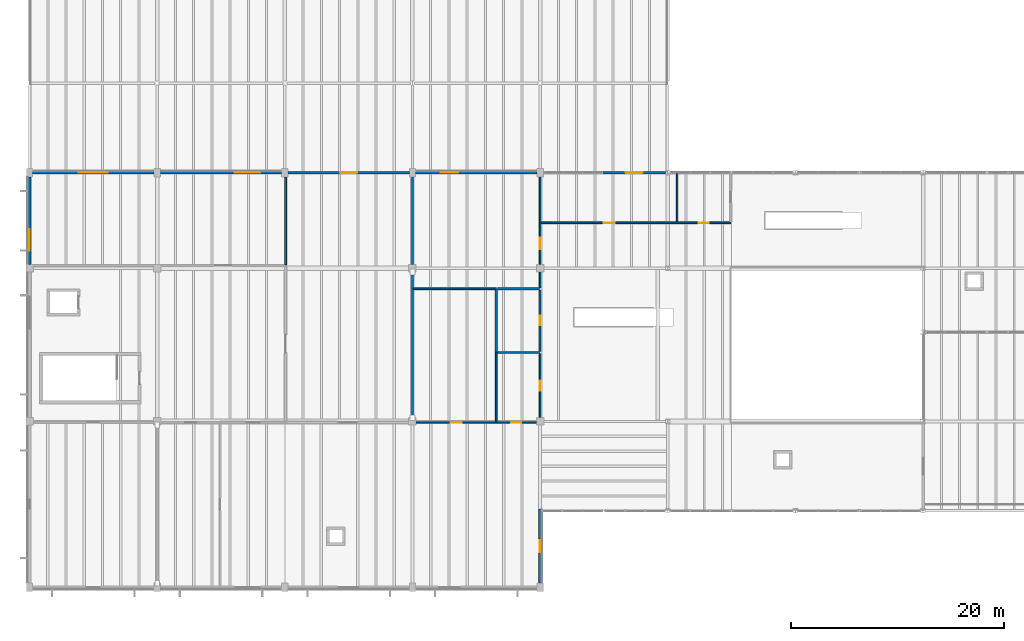
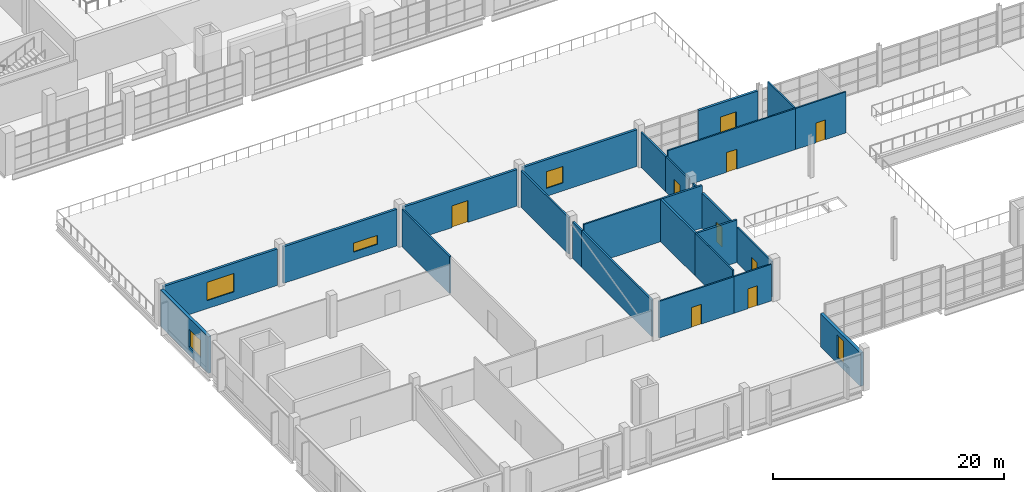
# One storey, part 56 of 78: 26 walls, 9 doors, 5 windows, 14 openings.
"""IFC4 building model written with IfcOpenShell, lengths in metres."""

import ifcopenshell
import ifcopenshell.guid

model = None  # the IFC model being written
_history = None  # IfcOwnerHistory: only IFC2X3 demands one
_inside = {}  # id of a spatial element -> (the spatial element, [elements in it])
_under = {}  # id of a project, library or spatial element -> (it, [spatial elements below it])
_declared = {}  # id of a project -> (the project, [libraries it declares])
_typed = {}  # id of a type object -> (the type object, [elements of that type])
_made_of = {}  # id of a material, layer set ... -> (it, [elements and type objects made of it])


def new_model(schema):
    """Start an empty IFC model of exactly this schema.

    Asked for "IFC4X3", IfcOpenShell would pick the latest addendum, in which some entities
    have other attributes; the version numbers below select the first issue.
    IFC2X3 requires an IfcOwnerHistory on every rooted entity: one is made here for all.
    """
    global model, _history
    if schema == "IFC4X3":
        model = ifcopenshell.file(schema_version=(4, 3, 0, 0))
    else:
        model = ifcopenshell.file(schema=schema)
    _inside.clear()
    _under.clear()
    _declared.clear()
    _typed.clear()
    _made_of.clear()
    _history = None
    if model.schema == "IFC2X3":
        org = make("IfcOrganization", Name="unknown")
        user = make(
            "IfcPersonAndOrganization",
            ThePerson=make("IfcPerson", FamilyName="unknown"),
            TheOrganization=org,
        )
        app = make(
            "IfcApplication",
            ApplicationDeveloper=org,
            Version="unknown",
            ApplicationFullName="unknown",
            ApplicationIdentifier="unknown",
        )
        _history = make(
            "IfcOwnerHistory",
            OwningUser=user,
            OwningApplication=app,
            ChangeAction="ADDED",
            CreationDate=0,
        )
    return model


def make(cls, **values):
    """One entity of the class cls with the attributes given. An attribute that is None is left unset."""
    return model.create_entity(
        cls, **{name: value for name, value in values.items() if value is not None}
    )


def rooted(cls, **values):
    """An entity with a GlobalId (a new one), such as an element, a storey or a relation."""
    return make(cls, GlobalId=ifcopenshell.guid.new(), OwnerHistory=_history, **values)


def si_unit(unit_type, name, prefix=None):
    """IfcSIUnit, for example si_unit("LENGTHUNIT", "METRE", prefix="MILLI")."""
    return make("IfcSIUnit", UnitType=unit_type, Prefix=prefix, Name=name)


def assignment(units):
    """IfcUnitAssignment: the units of a project."""
    return None if units is None else make("IfcUnitAssignment", Units=units)


def point(xyz):
    """IfcCartesianPoint."""
    return None if xyz is None else make("IfcCartesianPoint", Coordinates=xyz)


def direction(xyz):
    """IfcDirection."""
    return None if xyz is None else make("IfcDirection", DirectionRatios=xyz)


def frame(location, z_axis=None, x_axis=None):
    """IfcAxis2Placement3D, a coordinate frame: its origin and axes. An axis left out is left unset."""
    return make(
        "IfcAxis2Placement3D",
        Location=point(location),
        Axis=direction(z_axis),
        RefDirection=direction(x_axis),
    )


def frame_2d(location, x_axis=None):
    """IfcAxis2Placement2D, a coordinate frame in the plane: its origin and x axis."""
    return make(
        "IfcAxis2Placement2D", Location=point(location), RefDirection=direction(x_axis)
    )


def origin():
    """The frame at (0, 0, 0) with its axes left unset."""
    return frame((0.0, 0.0, 0.0))


def place(relative_to, where):
    """IfcLocalPlacement: puts the frame where relative to a parent placement (None: the world)."""
    return make(
        "IfcLocalPlacement", PlacementRelTo=relative_to, RelativePlacement=where
    )


def context(
    kind, dimensions, precision=None, world=None, true_north=None, identifier=None
):
    """IfcGeometricRepresentationContext, for example the 3D "Model" context."""
    return make(
        "IfcGeometricRepresentationContext",
        ContextIdentifier=identifier,
        ContextType=kind,
        CoordinateSpaceDimension=dimensions,
        Precision=precision,
        WorldCoordinateSystem=world,
        TrueNorth=true_north,
    )


def subcontext(parent, identifier, kind, view, scale=None):
    """IfcGeometricRepresentationSubContext, for example "Body" below "Model"."""
    return make(
        "IfcGeometricRepresentationSubContext",
        ContextIdentifier=identifier,
        ContextType=kind,
        ParentContext=parent,
        TargetScale=scale,
        TargetView=view,
    )


def project(units=None, contexts=None):
    """IfcProject with its units and contexts."""
    return rooted(
        "IfcProject",
        Name="project",
        RepresentationContexts=contexts,
        UnitsInContext=assignment(units),
    )


def spatial(cls, under=None, at=None, **own):
    """A site, building, storey or space (cls), placed at a placement, below another one or the project."""
    s = rooted(cls, ObjectPlacement=at, **own)
    if under is not None:
        _under.setdefault(under.id(), (under, []))[1].append(s)
    return s


def profile(cls, at=None, kind="AREA", **sizes):
    """A parametric profile (cls). Its sizes go by their IFC names, for example OverallWidth=200.0."""
    return make(cls, ProfileType=kind, Position=at, **sizes)


def rectangle(**sizes):
    """IfcRectangleProfileDef."""
    return profile("IfcRectangleProfileDef", **sizes)


def extrude(swept, where, along, depth):
    """IfcExtrudedAreaSolid: the profile swept, set in the frame where, extruded along a direction by depth."""
    return make(
        "IfcExtrudedAreaSolid",
        SweptArea=swept,
        Position=where,
        ExtrudedDirection=direction(along),
        Depth=depth,
    )


def shape(context_of_items, identifier, shape_type, items):
    """IfcShapeRepresentation: the items that make up one representation, for example the "Body"."""
    return make(
        "IfcShapeRepresentation",
        ContextOfItems=context_of_items,
        RepresentationIdentifier=identifier,
        RepresentationType=shape_type,
        Items=items,
    )


def material(Name=None, Category=None):
    """IfcMaterial."""
    return make("IfcMaterial", Name=Name, Category=Category)


def layer(
    of_material, thickness, ventilated=None, Name=None, Category=None, Priority=None
):
    """IfcMaterialLayer: one layer of a wall or slab, of a material (None: an air gap)."""
    return make(
        "IfcMaterialLayer",
        Material=of_material,
        LayerThickness=thickness,
        IsVentilated=ventilated,
        Name=Name,
        Category=Category,
        Priority=Priority,
    )


def layer_set(layers, Name=None):
    """IfcMaterialLayerSet."""
    return make("IfcMaterialLayerSet", MaterialLayers=layers, LayerSetName=Name)


def made_of(thing, what):
    """Note that an element or type object is made of a material, layer set ...; save() writes the relation."""
    if what is not None:
        _made_of.setdefault(what.id(), (what, []))[1].append(thing)
    return thing


def type_object(cls, material=None, **own):
    """A type object (cls), such as IfcWallType, which elements share."""
    return made_of(rooted(cls, **own), material)


def element(
    cls,
    number,
    at=None,
    inside=None,
    cuts=None,
    type_object=None,
    material=None,
    context=None,
    identifier="Body",
    shape_type=None,
    held_by="IfcProductDefinitionShape",
    body=None,
    shapes=None,
    **own,
):
    """One element of the class cls, such as IfcWall. Its Tag is "e" and its number.

    at: its placement. inside: the storey or other place that contains it. cuts: it is an
    opening in that element (IfcRelVoidsElement). A single representation is given by context,
    identifier, shape_type and body (its items); several are given by shapes. held_by: the class
    of the entity that holds the representations. save() writes the other relations.
    """
    e = rooted(cls, Tag="e%d" % number, ObjectPlacement=at, **own)
    if body is not None:
        shapes = [shape(context, identifier, shape_type, body)]
    if shapes is not None:
        e.Representation = make(held_by, Representations=shapes)
    if inside is not None:
        _inside.setdefault(inside.id(), (inside, []))[1].append(e)
    if cuts is not None:
        rooted(
            "IfcRelVoidsElement", RelatingBuildingElement=cuts, RelatedOpeningElement=e
        )
    if type_object is not None:
        _typed.setdefault(type_object.id(), (type_object, []))[1].append(e)
    return made_of(e, material)


def fill(opening, filler):
    """IfcRelFillsElement: the door or window that sits in an opening."""
    return rooted(
        "IfcRelFillsElement",
        RelatingOpeningElement=opening,
        RelatedBuildingElement=filler,
    )


def aggregate(whole, parts):
    """IfcRelAggregates: a whole, such as a stair, and the parts it consists of."""
    return rooted("IfcRelAggregates", RelatingObject=whole, RelatedObjects=parts)


def save(model, path):
    """Write the relations noted so far, then the file.

    IfcRelAggregates (storeys below a building ...), IfcRelContainedInSpatialStructure (elements
    in a storey), IfcRelDefinesByType, IfcRelAssociatesMaterial and IfcRelDeclares: one each for
    every whole, place, type object, material and project.
    """
    for whole, parts in _under.values():
        aggregate(whole, parts)
    for where, things in _inside.values():
        rooted(
            "IfcRelContainedInSpatialStructure",
            RelatedElements=things,
            RelatingStructure=where,
        )
    for kind, things in _typed.values():
        rooted("IfcRelDefinesByType", RelatedObjects=things, RelatingType=kind)
    for what, things in _made_of.values():
        rooted("IfcRelAssociatesMaterial", RelatedObjects=things, RelatingMaterial=what)
    for by, libraries in _declared.values():
        rooted("IfcRelDeclares", RelatingContext=by, RelatedDefinitions=libraries)
    model.write(path)


model = new_model("IFC4")

# Units and contexts
model_context = context("Model", 3, precision=1e-05, world=origin(), true_north=direction((0.0, 1.0)))
body_context = subcontext(model_context, "Body", "Model", "MODEL_VIEW")
ifc_project = project(units=[si_unit("LENGTHUNIT", "METRE"), si_unit("AREAUNIT", "SQUARE_METRE"), si_unit("VOLUMEUNIT", "CUBIC_METRE"), si_unit("PLANEANGLEUNIT", "RADIAN"), si_unit("MASSUNIT", "GRAM", prefix="KILO")], contexts=[model_context])

# Site, building, storey
site_placement = place(None, origin())
site = spatial("IfcSite", under=ifc_project, at=site_placement, CompositionType="ELEMENT")
building_placement = place(site_placement, origin())
building = spatial("IfcBuilding", under=site, at=building_placement, Name="Kelmvaro Bay Concert Hall", CompositionType="ELEMENT")
storey_placement = place(building_placement, frame((0.0, 0.0, 9.300048828125)))
storey = spatial("IfcBuildingStorey", under=building, at=storey_placement, Name="L02", CompositionType="ELEMENT", Elevation=9.300048828125)

# Walls
ifc_material_1 = material(Name="Acoustic Gypsum Board on Galvanised Steel Studs", Category="steel")
ifc_layer_1 = layer(ifc_material_1, 0.199951171875)
ifc_layer_set_1 = layer_set([ifc_layer_1], Name="Acoustic Gypsum Board on Galvanised Steel Studs")
wall_type_1 = type_object("IfcWallType", Name="Double-Stud Acoustic Studio Partition 200", PredefinedType="PARTITIONING", material=ifc_layer_set_1)
wall_1_placement = place(storey_placement, frame((43.8798828125, 22.074951171875, 0.0), z_axis=(0.0, 0.0, 1.0), x_axis=(0.0, 1.0, 0.0)))
element("IfcWall", 1, at=wall_1_placement, inside=storey, type_object=wall_type_1, Name="L02 Interior Partition PT-L02-0248", PredefinedType="PARTITIONING", context=body_context, shape_type="SweptSolid", body=[
    extrude(rectangle(XDim=5.9150390625, YDim=0.199951171875, at=frame_2d((2.95751953125, 0.0))), origin(), (0.0, 0.0, 1.0), 4.5),
])
for number, where, z_axis, x_axis, name in (
    (2, (43.989990234375, 22.080078125, 0.0), (0.0, 0.0, 1.0), (1.0, 0.0, 0.0), "L02 Interior Partition PT-L02-0249"),
    (3, (43.989990234375, 28.080078125, 0.0), (0.0, 0.0, 1.0), (1.0, 0.0, 0.0), "L02 Interior Partition PT-L02-0251"),
):
    element("IfcWall", number, at=place(storey_placement, frame(where, z_axis=z_axis, x_axis=x_axis)), inside=storey, type_object=wall_type_1, Name=name, PredefinedType="PARTITIONING", context=body_context, shape_type="SweptSolid", body=[
        extrude(rectangle(XDim=3.9599609375, YDim=0.199951171875, at=frame_2d((1.97998046875, 0.0))), origin(), (0.0, 0.0, 1.0), 4.5),
    ])

# Wall, opening, door
wall_2_placement = place(storey_placement, frame((48.0, 22.18994140625, 0.0), z_axis=(0.0, 0.0, 1.0), x_axis=(0.0, 1.0, 0.0)))
wall_2 = element("IfcWall", 4, at=wall_2_placement, inside=storey, type_object=wall_type_1, Name="L02 Interior Partition PT-L02-0255", PredefinedType="PARTITIONING", context=body_context, shape_type="SweptSolid", body=[
    extrude(rectangle(XDim=5.780029296875, YDim=0.199951171875, at=frame_2d((2.89013671875, 0.0))), origin(), (0.0, 0.0, 1.0), 3.739013671875),
])
opening_1_placement = place(wall_2_placement, frame((2.43505859375, 0.0, 0.0)))
opening_1 = element("IfcOpeningElement", 5, at=opening_1_placement, cuts=wall_2, Name="Opening ID-PL2", PredefinedType="OPENING", context=body_context, shape_type="SweptSolid", body=[
    extrude(rectangle(XDim=0.909912109375, YDim=2.10009765625, at=frame_2d((0.455078125, 1.050048828125))), frame((0.0, 0.10986328125, 0.0), z_axis=(0.0, -1.0, 0.0), x_axis=(1.0, 0.0, 0.0)), (0.0, 0.0, 1.0), 0.219970703125),
])
ifc_material_2 = material(Name="Fire-Rated Galvanised Steel", Category="steel")
door_type_1 = type_object("IfcDoorType", Name="Fire Command and Storage Door 910x2100", OperationType="NOTDEFINED", PredefinedType="DOOR", material=ifc_material_2)
door_1_placement = place(opening_1_placement, origin())
door_1 = element("IfcDoor", 6, at=door_1_placement, inside=storey, type_object=door_type_1, Name="L02 Interior Door DR-INT-L02-0149", OperationType="SINGLE_SWING_LEFT", OverallHeight=2.10009765625, OverallWidth=0.909912109375, PredefinedType="DOOR", context=body_context, shape_type="SweptSolid", body=[
    extrude(rectangle(XDim=0.909912109375, YDim=2.10009765625, at=frame_2d((0.455078125, 1.050048828125))), frame((0.0, 0.02490234375, 0.0), z_axis=(0.0, -1.0, 0.0), x_axis=(1.0, 0.0, 0.0)), (0.0, 0.0, 1.0), 0.050048828125),
])
fill(opening_1, door_1)

# Wall, opening, window
ifc_material_3 = material(Name="Precast Concrete C40/50", Category="concrete")
ifc_layer_2 = layer(ifc_material_3, 0.300048828125)
ifc_layer_set_2 = layer_set([ifc_layer_2], Name="Precast Concrete C40/50")
wall_type_2 = type_object("IfcWallType", Name="Education Pavilion Precast Wall 300", PredefinedType="SOLIDWALL", material=ifc_layer_set_2)
wall_3_placement = place(storey_placement, frame((48.0, 7.35009765625, 0.0), z_axis=(0.0, 0.0, 1.0), x_axis=(0.0, -1.0, 0.0)))
wall_3 = element("IfcWall", 7, at=wall_3_placement, inside=storey, type_object=wall_type_2, Name="L02 Exterior Wall EW-L02-0187", PredefinedType="SOLIDWALL", context=body_context, shape_type="SweptSolid", body=[
    extrude(rectangle(XDim=6.9501953125, YDim=0.300048828125, at=frame_2d((3.47509765625, 0.0))), origin(), (0.0, 0.0, 1.0), 3.50390625),
])
opening_2_placement = place(wall_3_placement, frame((2.925048828125, 0.0, 0.60009765625)))
opening_2 = element("IfcOpeningElement", 8, at=opening_2_placement, cuts=wall_3, Name="Opening WN-14", PredefinedType="OPENING", context=body_context, shape_type="SweptSolid", body=[
    extrude(rectangle(XDim=1.10009765625, YDim=2.39990234375, at=frame_2d((0.550048828125, 1.199951171875))), frame((0.0, 0.159912109375, 0.0), z_axis=(0.0, -1.0, 0.0), x_axis=(1.0, 0.0, 0.0)), (0.0, 0.0, 1.0), 0.320068359375),
])
ifc_material_4 = material(Name="Thermally Broken Aluminium and Acoustic Low-E Glass", Category="aluminium")
window_type_1 = type_object("IfcWindowType", Name="Salon Vertical Slot Window 1100x2400", PartitioningType="SINGLE_PANEL", PredefinedType="WINDOW", material=ifc_material_4)
window_1_placement = place(opening_2_placement, origin())
window_1 = element("IfcWindow", 9, at=window_1_placement, inside=storey, type_object=window_type_1, Name="L02 Facade Window WN-L02-0095", OverallHeight=2.39990234375, OverallWidth=1.10009765625, PartitioningType="SINGLE_PANEL", PredefinedType="WINDOW", context=body_context, shape_type="SweptSolid", body=[
    extrude(rectangle(XDim=1.10009765625, YDim=2.39990234375, at=frame_2d((0.550048828125, 1.199951171875))), frame((0.0, 0.030029296875, 0.0), z_axis=(0.0, -1.0, 0.0), x_axis=(1.0, 0.0, 0.0)), (0.0, 0.0, 1.0), 0.06005859375),
])
fill(opening_2, window_1)

wall_4_placement = place(storey_placement, frame((0.0, 30.35009765625, 0.0), z_axis=(0.0, 0.0, 1.0), x_axis=(0.0, 1.0, 0.0)))
wall_4 = element("IfcWall", 10, at=wall_4_placement, inside=storey, type_object=wall_type_2, Name="L02 Exterior Wall EW-L02-0189", PredefinedType="SOLIDWALL", context=body_context, shape_type="SweptSolid", body=[
    extrude(rectangle(XDim=8.25, YDim=0.300048828125, at=frame_2d((4.125, 0.0))), origin(), (0.0, 0.0, 1.0), 3.868896484375),
])
opening_3_placement = place(wall_4_placement, frame((1.31005859375, 0.0, 0.85009765625)))
opening_3 = element("IfcOpeningElement", 11, at=opening_3_placement, cuts=wall_4, Name="Opening WN-16", PredefinedType="OPENING", context=body_context, shape_type="SweptSolid", body=[
    extrude(rectangle(XDim=2.0, YDim=1.85009765625, at=frame_2d((1.0, 0.925048828125))), frame((0.0, 0.159912109375, 0.0), z_axis=(0.0, -1.0, 0.0), x_axis=(1.0, 0.0, 0.0)), (0.0, 0.0, 1.0), 0.320068359375),
])
ifc_material_5 = material(Name="Thermally Broken Aluminium and Acoustic Low-E Glass", Category="aluminium")
window_type_2 = type_object("IfcWindowType", Name="Green Room Garden Window 2000x1850", PartitioningType="SINGLE_PANEL", PredefinedType="WINDOW", material=ifc_material_5)
window_2_placement = place(opening_3_placement, origin())
window_2 = element("IfcWindow", 12, at=window_2_placement, inside=storey, type_object=window_type_2, Name="L02 Facade Window WN-L02-0097", OverallHeight=1.85009765625, OverallWidth=2.0, PartitioningType="SINGLE_PANEL", PredefinedType="WINDOW", context=body_context, shape_type="SweptSolid", body=[
    extrude(rectangle(XDim=2.0, YDim=1.85009765625, at=frame_2d((1.0, 0.925048828125))), frame((0.0, 0.030029296875, 0.0), z_axis=(0.0, -1.0, 0.0), x_axis=(1.0, 0.0, 0.0)), (0.0, 0.0, 1.0), 0.06005859375),
])
fill(opening_3, window_2)

# Walls
ifc_material_6 = material(Name="Acoustic Gypsum Board on Galvanised Steel Studs", Category="steel")
ifc_layer_3 = layer(ifc_material_6, 0.159912109375)
ifc_layer_set_3 = layer_set([ifc_layer_3], Name="Acoustic Gypsum Board on Galvanised Steel Studs")
wall_type_3 = type_object("IfcWallType", Name="Practice Room Acoustic Partition 160", PredefinedType="PARTITIONING", material=ifc_layer_set_3)
wall_5_placement = place(storey_placement, frame((36.10009765625, 28.080078125, 0.0), z_axis=(0.0, 0.0, 1.0), x_axis=(1.0, 0.0, 0.0)))
element("IfcWall", 13, at=wall_5_placement, inside=storey, type_object=wall_type_3, Name="L02 Interior Partition PT-L02-0247", PredefinedType="PARTITIONING", context=body_context, shape_type="SweptSolid", body=[
    extrude(rectangle(XDim=7.784912109375, YDim=0.159912109375, at=frame_2d((3.892578125, 0.0))), origin(), (0.0, 0.0, 1.0), 4.5),
])
wall_6_placement = place(storey_placement, frame((48.0, 28.18994140625, 0.0), z_axis=(0.0, 0.0, 1.0), x_axis=(0.0, 1.0, 0.0)))
element("IfcWall", 14, at=wall_6_placement, inside=storey, type_object=wall_type_3, Name="L02 Interior Partition PT-L02-0252", PredefinedType="PARTITIONING", context=body_context, shape_type="SweptSolid", body=[
    extrude(rectangle(XDim=1.4521484375, YDim=0.159912109375, at=frame_2d((0.72607421875, 0.0))), origin(), (0.0, 0.0, 1.0), 3.739013671875),
])

# Wall, opening, door
wall_7_placement = place(storey_placement, frame((48.0, 30.35791015625, 0.0), z_axis=(0.0, 0.0, 1.0), x_axis=(0.0, 1.0, 0.0)))
wall_7 = element("IfcWall", 15, at=wall_7_placement, inside=storey, type_object=wall_type_3, Name="L02 Interior Partition PT-L02-0253", PredefinedType="PARTITIONING", context=body_context, shape_type="SweptSolid", body=[
    extrude(rectangle(XDim=3.927001953125, YDim=0.159912109375, at=frame_2d((1.96337890625, 0.0))), origin(), (0.0, 0.0, 1.0), 3.739013671875),
])
opening_4_placement = place(wall_7_placement, frame((1.43359375, 0.0, 0.0)))
opening_4 = element("IfcOpeningElement", 16, at=opening_4_placement, cuts=wall_7, Name="Opening ID-PR2", PredefinedType="OPENING", context=body_context, shape_type="SweptSolid", body=[
    extrude(rectangle(XDim=1.06005859375, YDim=2.219970703125, at=frame_2d((0.530029296875, 1.10986328125))), frame((0.0, 0.08984375, 0.0), z_axis=(0.0, -1.0, 0.0), x_axis=(1.0, 0.0, 0.0)), (0.0, 0.0, 1.0), 0.179931640625),
])
ifc_material_7 = material(Name="Solid White Oak Acoustic Leaf")
door_type_2 = type_object("IfcDoorType", Name="Ensemble Room Acoustic Door 1060x2220", OperationType="NOTDEFINED", PredefinedType="DOOR", material=ifc_material_7)
door_2_placement = place(opening_4_placement, origin())
door_2 = element("IfcDoor", 17, at=door_2_placement, inside=storey, type_object=door_type_2, Name="L02 Interior Door DR-INT-L02-0148", OperationType="SINGLE_SWING_RIGHT", OverallHeight=2.219970703125, OverallWidth=1.06005859375, PredefinedType="DOOR", context=body_context, shape_type="SweptSolid", body=[
    extrude(rectangle(XDim=1.06005859375, YDim=2.219970703125, at=frame_2d((0.530029296875, 1.10986328125))), frame((0.0, 0.02490234375, 0.0), z_axis=(0.0, -1.0, 0.0), x_axis=(1.0, 0.0, 0.0)), (0.0, 0.0, 1.0), 0.050048828125),
])
fill(opening_4, door_2)

# Walls
wall_8_placement = place(storey_placement, frame((48.0, 34.27490234375, 0.0), z_axis=(0.0, 0.0, 1.0), x_axis=(0.0, 1.0, 0.0)))
element("IfcWall", 18, at=wall_8_placement, inside=storey, type_object=wall_type_3, Name="L02 Interior Partition PT-L02-0254", PredefinedType="PARTITIONING", context=body_context, shape_type="SweptSolid", body=[
    extrude(rectangle(XDim=4.317138671875, YDim=0.159912109375, at=frame_2d((2.15869140625, 0.0))), origin(), (0.0, 0.0, 1.0), 3.739013671875),
])
ifc_material_8 = material(Name="Acoustic Gypsum Board on Galvanised Steel Studs", Category="steel")
ifc_layer_4 = layer(ifc_material_8, 0.179931640625)
ifc_layer_set_4 = layer_set([ifc_layer_4], Name="Acoustic Gypsum Board on Galvanised Steel Studs")
wall_type_4 = type_object("IfcWallType", Name="Rehearsal Suite Acoustic Partition 180", PredefinedType="PARTITIONING", material=ifc_layer_set_4)
wall_9_placement = place(storey_placement, frame((24.080078125, 30.35498046875, 0.0), z_axis=(0.0, 0.0, 1.0), x_axis=(0.0, 1.0, 0.0)))
element("IfcWall", 19, at=wall_9_placement, inside=storey, type_object=wall_type_4, Name="L02 Interior Partition PT-L02-0239", PredefinedType="PARTITIONING", context=body_context, shape_type="SweptSolid", body=[
    extrude(rectangle(XDim=8.237060546875, YDim=0.179931640625, at=frame_2d((4.11865234375, 0.0))), origin(), (0.0, 0.0, 1.0), 3.94384765625),
])
wall_10_placement = place(storey_placement, frame((36.0, 15.9580078125, 0.0), z_axis=(0.0, 0.0, 1.0), x_axis=(0.0, 1.0, 0.0)))
element("IfcWall", 20, at=wall_10_placement, inside=storey, type_object=wall_type_4, Name="L02 Interior Partition PT-L02-0243", PredefinedType="PARTITIONING", context=body_context, shape_type="SweptSolid", body=[
    extrude(rectangle(XDim=12.126953125, YDim=0.179931640625, at=frame_2d((6.0634765625, 0.0))), origin(), (0.0, 0.0, 1.0), 3.868896484375),
])
wall_11_placement = place(storey_placement, frame((36.0, 28.074951171875, 0.0), z_axis=(0.0, 0.0, 1.0), x_axis=(0.0, 1.0, 0.0)))
element("IfcWall", 21, at=wall_11_placement, inside=storey, type_object=wall_type_4, Name="L02 Interior Partition PT-L02-0244", PredefinedType="PARTITIONING", context=body_context, shape_type="SweptSolid", body=[
    extrude(rectangle(XDim=1.567138671875, YDim=0.179931640625, at=frame_2d((0.78369140625, 0.0))), origin(), (0.0, 0.0, 1.0), 3.868896484375),
])
wall_12_placement = place(storey_placement, frame((36.0, 30.35791015625, 0.0), z_axis=(0.0, 0.0, 1.0), x_axis=(0.0, 1.0, 0.0)))
element("IfcWall", 22, at=wall_12_placement, inside=storey, type_object=wall_type_4, Name="L02 Interior Partition PT-L02-0245", PredefinedType="PARTITIONING", context=body_context, shape_type="SweptSolid", body=[
    extrude(rectangle(XDim=8.234130859375, YDim=0.179931640625, at=frame_2d((4.1171875, 0.0))), origin(), (0.0, 0.0, 1.0), 3.868896484375),
])

# Wall, opening, window
ifc_material_9 = material(Name="Precast Concrete C40/50", Category="concrete")
ifc_layer_5 = layer(ifc_material_9, 0.239990234375)
ifc_layer_set_5 = layer_set([ifc_layer_5], Name="Precast Concrete C40/50")
wall_type_5 = type_object("IfcWallType", Name="Terrace Vestibule Exterior Wall 240", PredefinedType="SOLIDWALL", material=ifc_layer_set_5)
wall_13_placement = place(storey_placement, frame((0.300048828125, 39.0, 0.0), z_axis=(0.0, 0.0, 1.0), x_axis=(1.0, 0.0, 0.0)))
wall_13 = element("IfcWall", 23, at=wall_13_placement, inside=storey, type_object=wall_type_5, Name="L02 Exterior Wall EW-L02-0179", PredefinedType="SOLIDWALL", context=body_context, shape_type="SweptSolid", body=[
    extrude(rectangle(XDim=11.39990234375, YDim=0.239990234375, at=frame_2d((5.699951171875, 0.0))), origin(), (0.0, 0.0, 1.0), 3.873046875),
])
opening_5_placement = place(wall_13_placement, frame((4.35009765625, 0.0, 0.85009765625)))
opening_5 = element("IfcOpeningElement", 24, at=opening_5_placement, cuts=wall_13, Name="Opening WN-07", PredefinedType="OPENING", context=body_context, shape_type="SweptSolid", body=[
    extrude(rectangle(XDim=2.699951171875, YDim=1.949951171875, at=frame_2d((1.35009765625, 0.97509765625))), frame((0.0, 0.1298828125, 0.0), z_axis=(0.0, -1.0, 0.0), x_axis=(1.0, 0.0, 0.0)), (0.0, 0.0, 1.0), 0.260009765625),
])
ifc_material_10 = material(Name="Thermally Broken Aluminium and Acoustic Low-E Glass", Category="aluminium")
window_type_3 = type_object("IfcWindowType", Name="Classroom Mullion Window 2700x1950", PartitioningType="SINGLE_PANEL", PredefinedType="WINDOW", material=ifc_material_10)
window_3_placement = place(opening_5_placement, origin())
window_3 = element("IfcWindow", 25, at=window_3_placement, inside=storey, type_object=window_type_3, Name="L02 Facade Window WN-L02-0088", OverallHeight=1.949951171875, OverallWidth=2.699951171875, PartitioningType="SINGLE_PANEL", PredefinedType="WINDOW", context=body_context, shape_type="SweptSolid", body=[
    extrude(rectangle(XDim=2.699951171875, YDim=1.949951171875, at=frame_2d((1.35009765625, 0.97509765625))), frame((0.0, 0.030029296875, 0.0), z_axis=(0.0, -1.0, 0.0), x_axis=(1.0, 0.0, 0.0)), (0.0, 0.0, 1.0), 0.06005859375),
])
fill(opening_5, window_3)

wall_14_placement = place(storey_placement, frame((12.300048828125, 39.0, 0.0), z_axis=(0.0, 0.0, 1.0), x_axis=(1.0, 0.0, 0.0)))
wall_14 = element("IfcWall", 26, at=wall_14_placement, inside=storey, type_object=wall_type_5, Name="L02 Exterior Wall EW-L02-0181", PredefinedType="SOLIDWALL", context=body_context, shape_type="SweptSolid", body=[
    extrude(rectangle(XDim=11.39990234375, YDim=0.239990234375, at=frame_2d((5.699951171875, 0.0))), origin(), (0.0, 0.0, 1.0), 3.873046875),
])
opening_6_placement = place(wall_14_placement, frame((7.008056640625, 0.0, 0.85009765625)))
opening_6 = element("IfcOpeningElement", 27, at=opening_6_placement, cuts=wall_14, Name="Opening WN-09", PredefinedType="OPENING", context=body_context, shape_type="SweptSolid", body=[
    extrude(rectangle(XDim=2.39990234375, YDim=0.949951171875, at=frame_2d((1.199951171875, 0.47509765625))), frame((0.0, 0.1298828125, 0.0), z_axis=(0.0, -1.0, 0.0), x_axis=(1.0, 0.0, 0.0)), (0.0, 0.0, 1.0), 0.260009765625),
])
ifc_material_11 = material(Name="Thermally Broken Aluminium and Acoustic Low-E Glass", Category="aluminium")
window_type_4 = type_object("IfcWindowType", Name="Archive Clerestory Window 2400x950", PartitioningType="SINGLE_PANEL", PredefinedType="WINDOW", material=ifc_material_11)
window_4_placement = place(opening_6_placement, origin())
window_4 = element("IfcWindow", 28, at=window_4_placement, inside=storey, type_object=window_type_4, Name="L02 Facade Window WN-L02-0090", OverallHeight=0.949951171875, OverallWidth=2.39990234375, PartitioningType="SINGLE_PANEL", PredefinedType="WINDOW", context=body_context, shape_type="SweptSolid", body=[
    extrude(rectangle(XDim=2.39990234375, YDim=0.949951171875, at=frame_2d((1.199951171875, 0.47509765625))), frame((0.0, 0.030029296875, 0.0), z_axis=(0.0, -1.0, 0.0), x_axis=(1.0, 0.0, 0.0)), (0.0, 0.0, 1.0), 0.06005859375),
])
fill(opening_6, window_4)

# Wall, opening, door
wall_15_placement = place(storey_placement, frame((24.300048828125, 39.0, 0.0), z_axis=(0.0, 0.0, 1.0), x_axis=(1.0, 0.0, 0.0)))
wall_15 = element("IfcWall", 29, at=wall_15_placement, inside=storey, type_object=wall_type_5, Name="L02 Exterior Wall EW-L02-0183", PredefinedType="SOLIDWALL", context=body_context, shape_type="SweptSolid", body=[
    extrude(rectangle(XDim=11.39990234375, YDim=0.239990234375, at=frame_2d((5.699951171875, 0.0))), origin(), (0.0, 0.0, 1.0), 3.873046875),
])
opening_7_placement = place(wall_15_placement, frame((4.89990234375, 0.0, 0.0)))
opening_7 = element("IfcOpeningElement", 30, at=opening_7_placement, cuts=wall_15, Name="Opening ED-160", PredefinedType="OPENING", context=body_context, shape_type="SweptSolid", body=[
    extrude(rectangle(XDim=1.60009765625, YDim=2.300048828125, at=frame_2d((0.800048828125, 1.14990234375))), frame((0.0, 0.1298828125, 0.0), z_axis=(0.0, -1.0, 0.0), x_axis=(1.0, 0.0, 0.0)), (0.0, 0.0, 1.0), 0.260009765625),
])
ifc_material_12 = material(Name="Thermally Broken Aluminium and Laminated Safety Glass", Category="aluminium")
door_type_3 = type_object("IfcDoorType", Name="Terrace Promenade Double Glazed Door 1600x2300", OperationType="NOTDEFINED", PredefinedType="DOOR", material=ifc_material_12)
door_3_placement = place(opening_7_placement, origin())
door_3 = element("IfcDoor", 31, at=door_3_placement, inside=storey, type_object=door_type_3, Name="L02 Exterior Door DR-EXT-L02-014", OperationType="DOUBLE_DOOR_SINGLE_SWING", OverallHeight=2.300048828125, OverallWidth=1.60009765625, PredefinedType="DOOR", context=body_context, shape_type="SweptSolid", body=[
    extrude(rectangle(XDim=1.60009765625, YDim=2.300048828125, at=frame_2d((0.800048828125, 1.14990234375))), frame((0.0, 0.02490234375, 0.0), z_axis=(0.0, -1.0, 0.0), x_axis=(1.0, 0.0, 0.0)), (0.0, 0.0, 1.0), 0.050048828125),
])
fill(opening_7, door_3)

# Wall, opening, window
wall_16_placement = place(storey_placement, frame((36.300048828125, 39.0, 0.0), z_axis=(0.0, 0.0, 1.0), x_axis=(1.0, 0.0, 0.0)))
wall_16 = element("IfcWall", 32, at=wall_16_placement, inside=storey, type_object=wall_type_5, Name="L02 Exterior Wall EW-L02-0185", PredefinedType="SOLIDWALL", context=body_context, shape_type="SweptSolid", body=[
    extrude(rectangle(XDim=11.39990234375, YDim=0.239990234375, at=frame_2d((5.699951171875, 0.0))), origin(), (0.0, 0.0, 1.0), 3.873046875),
])
opening_8_placement = place(wall_16_placement, frame((2.366943359375, 0.0, 0.85009765625)))
opening_8 = element("IfcOpeningElement", 33, at=opening_8_placement, cuts=wall_16, Name="Opening WN-12", PredefinedType="OPENING", context=body_context, shape_type="SweptSolid", body=[
    extrude(rectangle(XDim=1.64990234375, YDim=1.75, at=frame_2d((0.824951171875, 0.875))), frame((0.0, 0.1298828125, 0.0), z_axis=(0.0, -1.0, 0.0), x_axis=(1.0, 0.0, 0.0)), (0.0, 0.0, 1.0), 0.260009765625),
])
ifc_material_13 = material(Name="Thermally Broken Aluminium and Acoustic Low-E Glass", Category="aluminium")
window_type_5 = type_object("IfcWindowType", Name="Administration View Window 1650x1750", PartitioningType="SINGLE_PANEL", PredefinedType="WINDOW", material=ifc_material_13)
window_5_placement = place(opening_8_placement, origin())
window_5 = element("IfcWindow", 34, at=window_5_placement, inside=storey, type_object=window_type_5, Name="L02 Facade Window WN-L02-0093", OverallHeight=1.75, OverallWidth=1.64990234375, PartitioningType="SINGLE_PANEL", PredefinedType="WINDOW", context=body_context, shape_type="SweptSolid", body=[
    extrude(rectangle(XDim=1.64990234375, YDim=1.75, at=frame_2d((0.824951171875, 0.875))), frame((0.0, 0.030029296875, 0.0), z_axis=(0.0, -1.0, 0.0), x_axis=(1.0, 0.0, 0.0)), (0.0, 0.0, 1.0), 0.06005859375),
])
fill(opening_8, window_5)

# Wall, opening, door
wall_17_placement = place(storey_placement, frame((53.8798828125, 39.0, 0.0), z_axis=(0.0, 0.0, 1.0), x_axis=(1.0, 0.0, 0.0)))
wall_17 = element("IfcWall", 35, at=wall_17_placement, inside=storey, type_object=wall_type_5, Name="L02 Exterior Wall EW-L02-0271", PredefinedType="SOLIDWALL", context=body_context, shape_type="SweptSolid", body=[
    extrude(rectangle(XDim=5.920654296875, YDim=0.239990234375, at=frame_2d((2.96044921875, 0.0))), origin(), (0.0, 0.0, 1.0), 3.742919921875),
])
opening_9_placement = place(wall_17_placement, frame((2.16015625, 0.0, 0.0)))
opening_9 = element("IfcOpeningElement", 36, at=opening_9_placement, cuts=wall_17, Name="Opening ED-160", PredefinedType="OPENING", context=body_context, shape_type="SweptSolid", body=[
    extrude(rectangle(XDim=1.60009765625, YDim=2.300048828125, at=frame_2d((0.800048828125, 1.14990234375))), frame((0.0, 0.1298828125, 0.0), z_axis=(0.0, -1.0, 0.0), x_axis=(1.0, 0.0, 0.0)), (0.0, 0.0, 1.0), 0.260009765625),
])
door_4_placement = place(opening_9_placement, origin())
door_4 = element("IfcDoor", 37, at=door_4_placement, inside=storey, type_object=door_type_3, Name="L02 Exterior Door DR-EXT-L02-030", OperationType="DOUBLE_DOOR_SINGLE_SWING", OverallHeight=2.300048828125, OverallWidth=1.60009765625, PredefinedType="DOOR", context=body_context, shape_type="SweptSolid", body=[
    extrude(rectangle(XDim=1.60009765625, YDim=2.300048828125, at=frame_2d((0.800048828125, 1.14990234375))), frame((0.0, 0.02490234375, 0.0), z_axis=(0.0, -1.0, 0.0), x_axis=(1.0, 0.0, 0.0)), (0.0, 0.0, 1.0), 0.050048828125),
])
fill(opening_9, door_4)

ifc_material_14 = material(Name="Acoustic Gypsum Board on Galvanised Steel Studs", Category="steel")
ifc_layer_6 = layer(ifc_material_14, 0.14990234375)
ifc_layer_set_6 = layer_set([ifc_layer_6], Name="Acoustic Gypsum Board on Galvanised Steel Studs")
wall_type_6 = type_object("IfcWallType", Name="Wet Area Moisture-Resistant Partition 150", PredefinedType="PARTITIONING", material=ifc_layer_set_6)
wall_18_placement = place(storey_placement, frame((36.35791015625, 15.52001953125, 0.0), z_axis=(0.0, 0.0, 1.0), x_axis=(1.0, 0.0, 0.0)))
wall_18 = element("IfcWall", 38, at=wall_18_placement, inside=storey, type_object=wall_type_6, Name="L02 Interior Partition PT-L02-0241", PredefinedType="PARTITIONING", context=body_context, shape_type="SweptSolid", body=[
    extrude(rectangle(XDim=7.527099609375, YDim=0.14990234375, at=frame_2d((3.763671875, 0.0))), origin(), (0.0, 0.0, 1.0), 3.873046875),
])
opening_10_placement = place(wall_18_placement, frame((3.258544921875, 0.0, 0.0)))
opening_10 = element("IfcOpeningElement", 39, at=opening_10_placement, cuts=wall_18, Name="Opening ID-WC2", PredefinedType="OPENING", context=body_context, shape_type="SweptSolid", body=[
    extrude(rectangle(XDim=1.010009765625, YDim=2.10009765625, at=frame_2d((0.5048828125, 1.050048828125))), frame((0.0, 0.0849609375, 0.0), z_axis=(0.0, -1.0, 0.0), x_axis=(1.0, 0.0, 0.0)), (0.0, 0.0, 1.0), 0.169921875),
])
ifc_material_15 = material(Name="High-Pressure Laminate Core")
door_type_4 = type_object("IfcDoorType", Name="Public Restroom Vestibule Door 1010x2100", OperationType="NOTDEFINED", PredefinedType="DOOR", material=ifc_material_15)
door_5_placement = place(opening_10_placement, origin())
door_5 = element("IfcDoor", 40, at=door_5_placement, inside=storey, type_object=door_type_4, Name="L02 Interior Door DR-INT-L02-0145", OperationType="SINGLE_SWING_LEFT", OverallHeight=2.10009765625, OverallWidth=1.010009765625, PredefinedType="DOOR", context=body_context, shape_type="SweptSolid", body=[
    extrude(rectangle(XDim=1.010009765625, YDim=2.10009765625, at=frame_2d((0.5048828125, 1.050048828125))), frame((0.0, 0.02490234375, 0.0), z_axis=(0.0, -1.0, 0.0), x_axis=(1.0, 0.0, 0.0)), (0.0, 0.0, 1.0), 0.050048828125),
])
fill(opening_10, door_5)

wall_19_placement = place(storey_placement, frame((43.875, 15.52001953125, 0.0), z_axis=(0.0, 0.0, 1.0), x_axis=(1.0, 0.0, 0.0)))
wall_19 = element("IfcWall", 41, at=wall_19_placement, inside=storey, type_object=wall_type_6, Name="L02 Interior Partition PT-L02-0242", PredefinedType="PARTITIONING", context=body_context, shape_type="SweptSolid", body=[
    extrude(rectangle(XDim=3.76708984375, YDim=0.14990234375, at=frame_2d((1.883544921875, 0.0))), origin(), (0.0, 0.0, 1.0), 3.873046875),
])
opening_11_placement = place(wall_19_placement, frame((1.41357421875, 0.0, 0.0)))
opening_11 = element("IfcOpeningElement", 42, at=opening_11_placement, cuts=wall_19, Name="Opening ID-WC1", PredefinedType="OPENING", context=body_context, shape_type="SweptSolid", body=[
    extrude(rectangle(XDim=0.93994140625, YDim=2.10009765625, at=frame_2d((0.469970703125, 1.050048828125))), frame((0.0, 0.0849609375, 0.0), z_axis=(0.0, -1.0, 0.0), x_axis=(1.0, 0.0, 0.0)), (0.0, 0.0, 1.0), 0.169921875),
])
ifc_material_16 = material(Name="High-Pressure Laminate Core")
door_type_5 = type_object("IfcDoorType", Name="Accessible Restroom Door 940x2100", OperationType="NOTDEFINED", PredefinedType="DOOR", material=ifc_material_16)
door_6_placement = place(opening_11_placement, origin())
door_6 = element("IfcDoor", 43, at=door_6_placement, inside=storey, type_object=door_type_5, Name="L02 Interior Door DR-INT-L02-0146", OperationType="SINGLE_SWING_RIGHT", OverallHeight=2.10009765625, OverallWidth=0.93994140625, PredefinedType="DOOR", context=body_context, shape_type="SweptSolid", body=[
    extrude(rectangle(XDim=0.93994140625, YDim=2.10009765625, at=frame_2d((0.469970703125, 1.050048828125))), frame((0.0, 0.02490234375, 0.0), z_axis=(0.0, -1.0, 0.0), x_axis=(1.0, 0.0, 0.0)), (0.0, 0.0, 1.0), 0.050048828125),
])
fill(opening_11, door_6)

# Wall
wall_20_placement = place(storey_placement, frame((43.8798828125, 15.60498046875, 0.0), z_axis=(0.0, 0.0, 1.0), x_axis=(0.0, 1.0, 0.0)))
element("IfcWall", 44, at=wall_20_placement, inside=storey, type_object=wall_type_6, Name="L02 Interior Partition PT-L02-0246", PredefinedType="PARTITIONING", context=body_context, shape_type="SweptSolid", body=[
    extrude(rectangle(XDim=6.47998046875, YDim=0.14990234375, at=frame_2d((3.239990234375, 0.0))), origin(), (0.0, 0.0, 1.0), 4.5),
])

# Wall, opening, door
wall_21_placement = place(storey_placement, frame((48.0, 15.9580078125, 0.0), z_axis=(0.0, 0.0, 1.0), x_axis=(0.0, 1.0, 0.0)))
wall_21 = element("IfcWall", 45, at=wall_21_placement, inside=storey, type_object=wall_type_6, Name="L02 Interior Partition PT-L02-0250", PredefinedType="PARTITIONING", context=body_context, shape_type="SweptSolid", body=[
    extrude(rectangle(XDim=6.011962890625, YDim=0.14990234375, at=frame_2d((3.005859375, 0.0))), origin(), (0.0, 0.0, 1.0), 3.739013671875),
])
opening_12_placement = place(wall_21_placement, frame((2.535888671875, 0.0, 0.0)))
opening_12 = element("IfcOpeningElement", 46, at=opening_12_placement, cuts=wall_21, Name="Opening ID-WC1", PredefinedType="OPENING", context=body_context, shape_type="SweptSolid", body=[
    extrude(rectangle(XDim=0.93994140625, YDim=2.10009765625, at=frame_2d((0.469970703125, 1.050048828125))), frame((0.0, 0.0849609375, 0.0), z_axis=(0.0, -1.0, 0.0), x_axis=(1.0, 0.0, 0.0)), (0.0, 0.0, 1.0), 0.169921875),
])
door_7_placement = place(opening_12_placement, origin())
door_7 = element("IfcDoor", 47, at=door_7_placement, inside=storey, type_object=door_type_5, Name="L02 Interior Door DR-INT-L02-0147", OperationType="SINGLE_SWING_LEFT", OverallHeight=2.10009765625, OverallWidth=0.93994140625, PredefinedType="DOOR", context=body_context, shape_type="SweptSolid", body=[
    extrude(rectangle(XDim=0.93994140625, YDim=2.10009765625, at=frame_2d((0.469970703125, 1.050048828125))), frame((0.0, 0.02490234375, 0.0), z_axis=(0.0, -1.0, 0.0), x_axis=(1.0, 0.0, 0.0)), (0.0, 0.0, 1.0), 0.050048828125),
])
fill(opening_12, door_7)

wall_22_placement = place(storey_placement, frame((48.090087890625, 34.280029296875, 0.0), z_axis=(0.0, 0.0, 1.0), x_axis=(1.0, 0.0, 0.0)))
wall_22 = element("IfcWall", 48, at=wall_22_placement, inside=storey, type_object=wall_type_6, Name="L02 Interior Partition PT-L02-0271", PredefinedType="PARTITIONING", context=body_context, shape_type="SweptSolid", body=[
    extrude(rectangle(XDim=12.794921875, YDim=0.14990234375, at=frame_2d((6.3974609375, 0.0))), origin(), (0.0, 0.0, 1.0), 4.349853515625),
])
opening_13_placement = place(wall_22_placement, frame((5.892578125, 0.0, 0.0)))
opening_13 = element("IfcOpeningElement", 49, at=opening_13_placement, cuts=wall_22, Name="Opening ID-WC2", PredefinedType="OPENING", context=body_context, shape_type="SweptSolid", body=[
    extrude(rectangle(XDim=1.010009765625, YDim=2.10009765625, at=frame_2d((0.5048828125, 1.050048828125))), frame((0.0, 0.0849609375, 0.0), z_axis=(0.0, -1.0, 0.0), x_axis=(1.0, 0.0, 0.0)), (0.0, 0.0, 1.0), 0.169921875),
])
door_8_placement = place(opening_13_placement, origin())
door_8 = element("IfcDoor", 50, at=door_8_placement, inside=storey, type_object=door_type_4, Name="L02 Interior Door DR-INT-L02-0161", OperationType="SINGLE_SWING_LEFT", OverallHeight=2.10009765625, OverallWidth=1.010009765625, PredefinedType="DOOR", context=body_context, shape_type="SweptSolid", body=[
    extrude(rectangle(XDim=1.010009765625, YDim=2.10009765625, at=frame_2d((0.5048828125, 1.050048828125))), frame((0.0, 0.02490234375, 0.0), z_axis=(0.0, -1.0, 0.0), x_axis=(1.0, 0.0, 0.0)), (0.0, 0.0, 1.0), 0.050048828125),
])
fill(opening_13, door_8)

wall_23_placement = place(storey_placement, frame((60.875, 34.280029296875, 0.0), z_axis=(0.0, 0.0, 1.0), x_axis=(1.0, 0.0, 0.0)))
wall_23 = element("IfcWall", 51, at=wall_23_placement, inside=storey, type_object=wall_type_6, Name="L02 Interior Partition PT-L02-0272", PredefinedType="PARTITIONING", context=body_context, shape_type="SweptSolid", body=[
    extrude(rectangle(XDim=5.050048828125, YDim=0.14990234375, at=frame_2d((2.52490234375, 0.0))), origin(), (0.0, 0.0, 1.0), 4.349853515625),
])
opening_14_placement = place(wall_23_placement, frame((2.054931640625, 0.0, 0.0)))
opening_14 = element("IfcOpeningElement", 52, at=opening_14_placement, cuts=wall_23, Name="Opening ID-WC1", PredefinedType="OPENING", context=body_context, shape_type="SweptSolid", body=[
    extrude(rectangle(XDim=0.93994140625, YDim=2.10009765625, at=frame_2d((0.469970703125, 1.050048828125))), frame((0.0, 0.0849609375, 0.0), z_axis=(0.0, -1.0, 0.0), x_axis=(1.0, 0.0, 0.0)), (0.0, 0.0, 1.0), 0.169921875),
])
door_9_placement = place(opening_14_placement, origin())
door_9 = element("IfcDoor", 53, at=door_9_placement, inside=storey, type_object=door_type_5, Name="L02 Interior Door DR-INT-L02-0162", OperationType="SINGLE_SWING_RIGHT", OverallHeight=2.10009765625, OverallWidth=0.93994140625, PredefinedType="DOOR", context=body_context, shape_type="SweptSolid", body=[
    extrude(rectangle(XDim=0.93994140625, YDim=2.10009765625, at=frame_2d((0.469970703125, 1.050048828125))), frame((0.0, 0.02490234375, 0.0), z_axis=(0.0, -1.0, 0.0), x_axis=(1.0, 0.0, 0.0)), (0.0, 0.0, 1.0), 0.050048828125),
])
fill(opening_14, door_9)

# Wall
wall_24_placement = place(storey_placement, frame((60.8798828125, 34.364990234375, 0.0), z_axis=(0.0, 0.0, 1.0), x_axis=(0.0, 1.0, 0.0)))
element("IfcWall", 54, at=wall_24_placement, inside=storey, type_object=wall_type_6, Name="L02 Interior Partition PT-L02-0273", PredefinedType="PARTITIONING", context=body_context, shape_type="SweptSolid", body=[
    extrude(rectangle(XDim=4.5849609375, YDim=0.14990234375, at=frame_2d((2.29248046875, 0.0))), origin(), (0.0, 0.0, 1.0), 4.349853515625),
])

save(model, "model.ifc")
